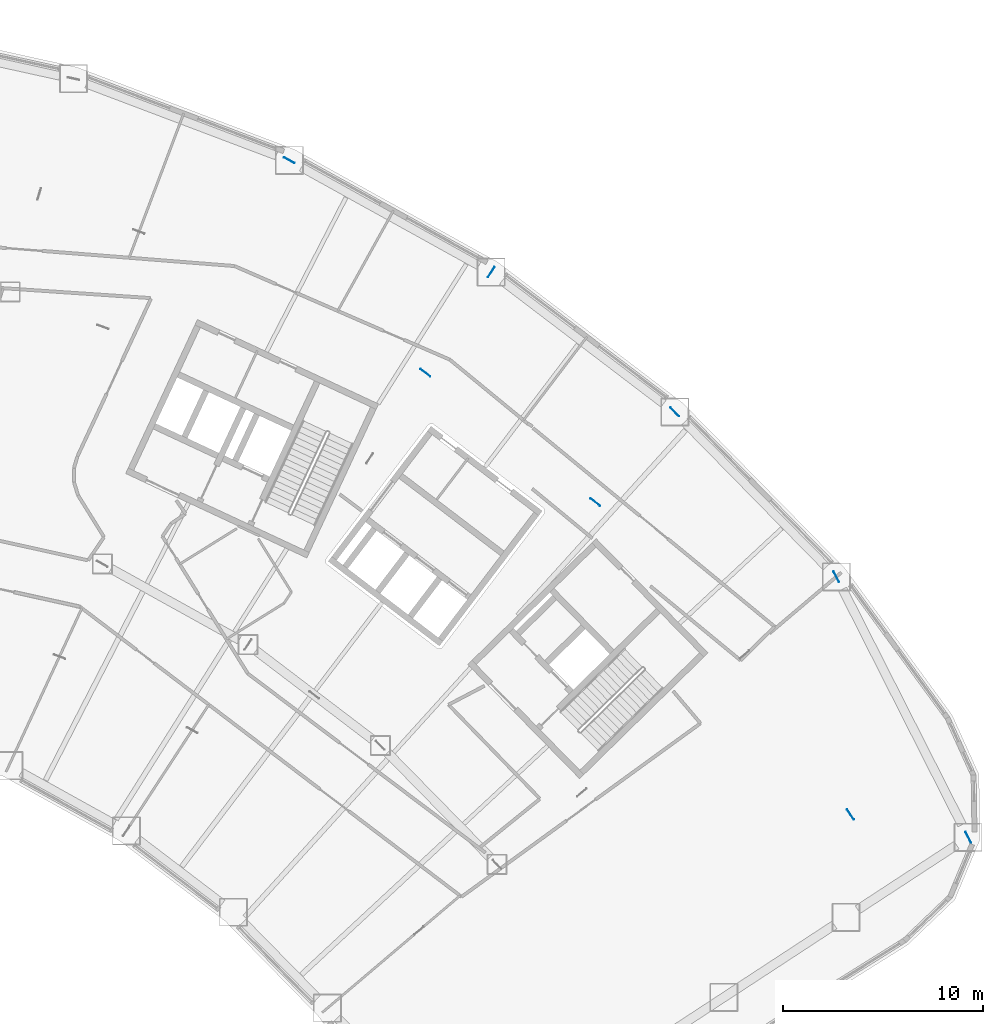
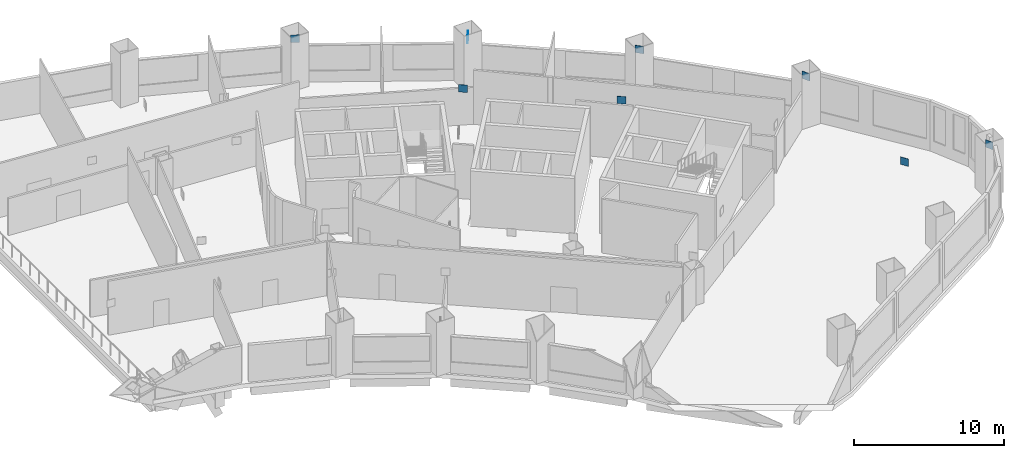
# One storey, part 22 of 24: 8 discrete accessories.
"""IFC4 building model written with IfcOpenShell, lengths in metres."""

from ifc_helpers import new_model, si_unit, direction, frame, origin, origin_2d, place, context, subcontext, project, spatial, rectangle, extrude, material, type_object, element, save


model = new_model("IFC4")

# Units and contexts
model_context = context("Model", 3, precision=1e-05, world=origin(), true_north=direction((0.0, 1.0)))
body_context = subcontext(model_context, "Body", "Model", "MODEL_VIEW")
ifc_project = project(units=[si_unit("LENGTHUNIT", "METRE"), si_unit("AREAUNIT", "SQUARE_METRE"), si_unit("VOLUMEUNIT", "CUBIC_METRE"), si_unit("PLANEANGLEUNIT", "RADIAN"), si_unit("MASSUNIT", "GRAM", prefix="KILO")], contexts=[model_context])

# Site, building, storey
site_placement = place(None, origin())
site = spatial("IfcSite", under=ifc_project, at=site_placement, CompositionType="ELEMENT")
building_placement = place(site_placement, origin())
building = spatial("IfcBuilding", under=site, at=building_placement, Name="Tuul Gate Civic Tower", CompositionType="ELEMENT")
storey_placement = place(building_placement, frame((0.0, 0.0, 21.89990234375)))
storey = spatial("IfcBuildingStorey", under=building, at=storey_placement, Name="Level 04", CompositionType="ELEMENT", Elevation=21.89990234375)

# Discrete accessories
ifc_material = material(Name="Steel S355", Category="steel")
discrete_accessory_type = type_object("IfcDiscreteAccessoryType", Name="Gusset plate", PredefinedType="BRACKET", material=ifc_material)
for number, where, z_axis, x_axis, name in (
    (1, (43.691162109375, 6.913818359375, 3.39697265625), (0.0, 0.0, 1.0), (-0.546705342807, -0.837325067191, 0.0), "Gusset plate"),
    (2, (67.564697265625, -21.36767578125, 3.397216796875), (0.0, 0.0, 1.0), (-0.45166929929, 0.892185431443, 0.0), "Gusset plate"),
    (3, (60.96142578125, -8.327392578125, 3.39697265625), (0.0, 0.0, 1.0), (0.45166929929, -0.892185431443, 0.0), "Gusset plate"),
    (4, (52.878173828125, -0.081787109375, 3.396728515625), (0.0, 0.0, 1.0), (0.700013398821, -0.714129709136, 0.0), "Gusset plate"),
    (5, (33.592041015625, 12.51123046875, 3.396728515625), (0.0, 0.0, 1.0), (0.874618497139, -0.484811803139, 0.0), "Gusset plate"),
    (6, (40.402099609375, 1.876220703125, 3.396728515625), (0.0, 0.0, 1.0), (0.795663839612, -0.605738437227, 0.0), "Gusset plate"),
    (7, (61.673583984375, -20.23046875, 3.396484375), (0.0, 0.0, 1.0), (-0.551597524527, 0.834110406922, 0.0), "Gusset plate"),
    (8, (48.90087890625, -4.59423828125, 3.396728515625), (0.0, 0.0, 1.0), (-0.795663839612, 0.605738437227, 0.0), "Gusset plate"),
):
    element("IfcDiscreteAccessory", number, at=place(storey_placement, frame(where, z_axis=z_axis, x_axis=x_axis)), inside=storey, type_object=discrete_accessory_type, Name=name, PredefinedType="BRACKET", context=body_context, shape_type="SweptSolid", body=[
        extrude(rectangle(XDim=0.60009765625, YDim=0.030029296875, at=origin_2d()), origin(), (0.0, 0.0, 1.0), 0.60009765625),
    ])

save(model, "model.ifc")
